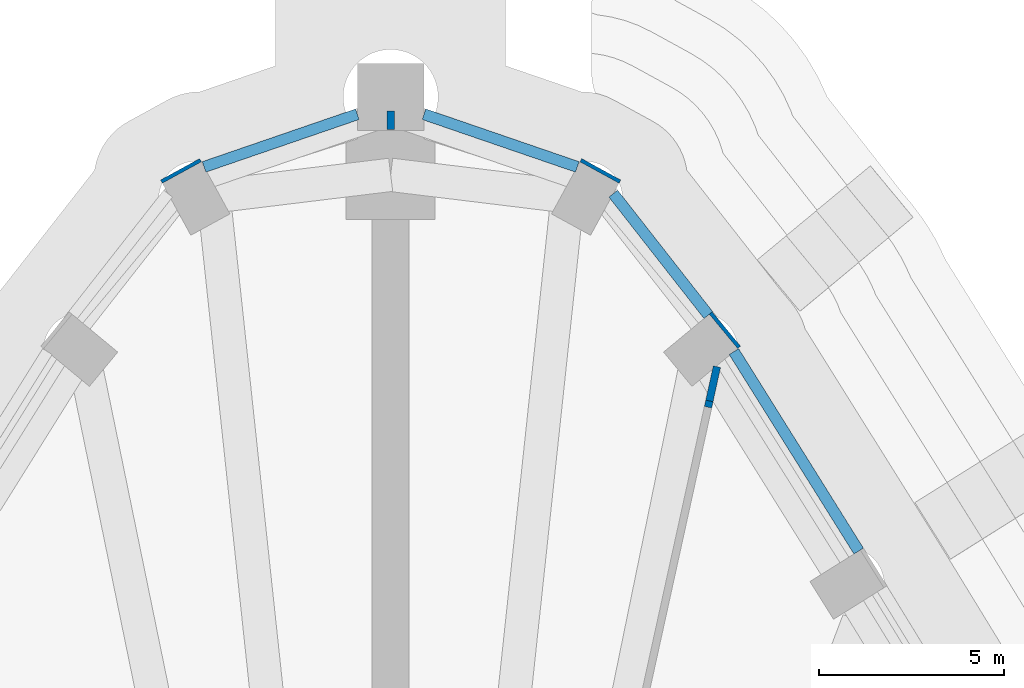
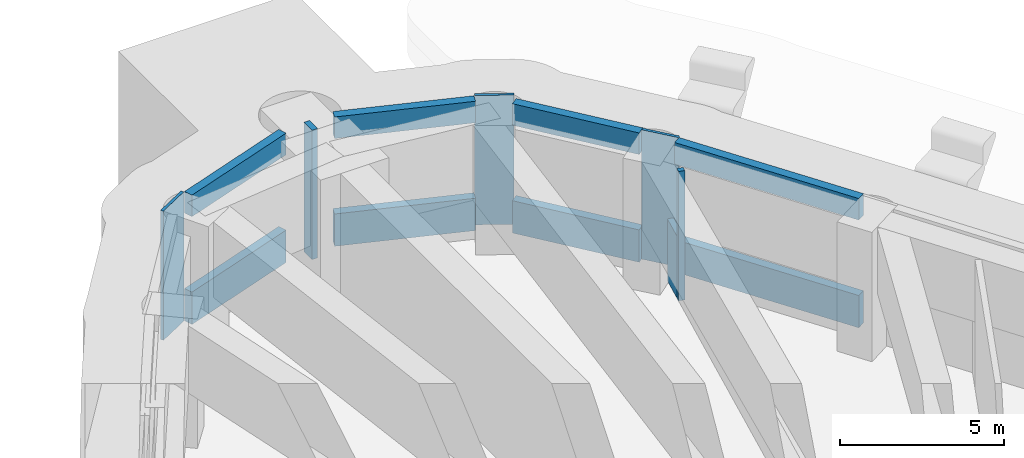
# One storey, part 11 of 21: 14 walls.
"""IFC4 building model written with IfcOpenShell, lengths in metres."""

from ifc_helpers import new_model, si_unit, direction, frame, frame_2d, origin, place, context, subcontext, project, spatial, rectangle, extrude, material, layer, layer_set, type_object, element, save


model = new_model("IFC4")

# Units and contexts
model_context = context("Model", 3, precision=1e-05, world=origin(), true_north=direction((0.0, 1.0)))
body_context = subcontext(model_context, "Body", "Model", "MODEL_VIEW")
ifc_project = project(units=[si_unit("LENGTHUNIT", "METRE"), si_unit("AREAUNIT", "SQUARE_METRE"), si_unit("VOLUMEUNIT", "CUBIC_METRE"), si_unit("PLANEANGLEUNIT", "RADIAN"), si_unit("MASSUNIT", "GRAM", prefix="KILO")], contexts=[model_context])

# Site, building, storey
site_placement = place(None, origin())
site = spatial("IfcSite", under=ifc_project, at=site_placement, CompositionType="ELEMENT")
building_placement = place(site_placement, origin())
building = spatial("IfcBuilding", under=site, at=building_placement, Name="Entoto Arch Interchange Tower", CompositionType="ELEMENT")
storey_placement = place(building_placement, frame((0.0, 0.0, 81.199951171875)))
storey = spatial("IfcBuildingStorey", under=building, at=storey_placement, Name="L17", CompositionType="ELEMENT", Elevation=81.199951171875)

# Walls
ifc_material_1 = material(Name="Gypsum board partition on steel studs", Category="steel")
ifc_layer_1 = layer(ifc_material_1, 0.199951171875)
ifc_layer_set_1 = layer_set([ifc_layer_1], Name="Gypsum board partition on steel studs")
wall_type_1 = type_object("IfcWallType", Name="PARTITION 200", PredefinedType="PARTITIONING", material=ifc_layer_set_1)
wall_1_placement = place(storey_placement, frame((0.0, 48.971923828125, 0.0), z_axis=(0.0, 0.0, 1.0), x_axis=(0.0, 1.0, 0.0)))
element("IfcWall", 1, at=wall_1_placement, inside=storey, type_object=wall_type_1, Name="wall:L17:p061", PredefinedType="PARTITIONING", context=body_context, shape_type="SweptSolid", body=[
    extrude(rectangle(XDim=0.4990234375, YDim=0.199951171875, at=frame_2d((0.24951171875, 0.0))), origin(), (0.0, 0.0, 1.0), 4.800048828125),
])
wall_2_placement = place(storey_placement, frame((8.555908203125, 41.485107421875, 0.0), z_axis=(0.0, 0.0, 1.0), x_axis=(0.2175209728, 0.97605564718, 0.0)))
element("IfcWall", 2, at=wall_2_placement, inside=storey, type_object=wall_type_1, Name="wall:L17:p060", PredefinedType="PARTITIONING", context=body_context, shape_type="SweptSolid", body=[
    extrude(rectangle(XDim=0.175048828125, YDim=0.199951171875, at=frame_2d((0.08740234375, 0.0))), origin(), (0.0, 0.0, 1.0), 4.800048828125),
])
wall_3_placement = place(storey_placement, frame((8.593994140625, 41.656005859375, 0.0), z_axis=(0.0, 0.0, 1.0), x_axis=(0.213673762505, 0.9769050738, 0.0)))
element("IfcWall", 3, at=wall_3_placement, inside=storey, type_object=wall_type_1, Name="wall:L17:p060", PredefinedType="PARTITIONING", context=body_context, shape_type="SweptSolid", body=[
    extrude(rectangle(XDim=0.94482421875, YDim=0.199951171875, at=frame_2d((0.472412109375, 0.0))), origin(), (0.0, 0.0, 1.0), 2.300048828125),
])
ifc_material_2 = material(Name="Board-marked precast concrete C50/60", Category="concrete")
ifc_layer_2 = layer(ifc_material_2, 0.10009765625)
ifc_layer_set_2 = layer_set([ifc_layer_2], Name="Board-marked precast concrete C50/60")
wall_type_2 = type_object("IfcWallType", Name="PRECAST FRAME WALL 100", PredefinedType="STANDARD", material=ifc_layer_set_2)
for number, where, z_axis, x_axis, name in (
    (4, (6.179931640625, 47.569091796875, 0.0), (0.0, 0.0, 1.0), (-0.877155474831, 0.480206489934, 0.0), "Frame pier N1 L17"),
    (5, (-5.1279296875, 48.14501953125, 0.0), (0.0, 0.0, 1.0), (-0.877155474831, -0.480206489934, 0.0), "Frame pier N3 L17"),
):
    element("IfcWall", number, at=place(storey_placement, frame(where, z_axis=z_axis, x_axis=x_axis)), inside=storey, type_object=wall_type_2, Name=name, PredefinedType="STANDARD", context=body_context, shape_type="SweptSolid", body=[
        extrude(rectangle(XDim=1.19921875, YDim=0.10009765625, at=frame_2d((0.599609375, 0.0))), origin(), (0.0, 0.0, 1.0), 4.800048828125),
    ])
wall_4_placement = place(storey_placement, frame((9.39404296875, 43.10009765625, 0.0), z_axis=(0.0, 0.0, 1.0), x_axis=(-0.637859244555, 0.770152961518, 0.0)))
element("IfcWall", 6, at=wall_4_placement, inside=storey, type_object=wall_type_2, Name="Frame pier NE10 L17", PredefinedType="STANDARD", context=body_context, shape_type="SweptSolid", body=[
    extrude(rectangle(XDim=1.199462890625, YDim=0.10009765625, at=frame_2d((0.599609375, 0.0))), origin(), (0.0, 0.0, 1.0), 4.800048828125),
])
ifc_layer_3 = layer(ifc_material_2, 0.300048828125)
ifc_layer_set_3 = layer_set([ifc_layer_3], Name="Board-marked precast concrete C50/60")
wall_type_3 = type_object("IfcWallType", Name="PRECAST FRAME WALL 300", PredefinedType="STANDARD", material=ifc_layer_set_3)
wall_5_placement = place(storey_placement, frame((12.618896484375, 37.60693359375, 0.0), z_axis=(0.0, 0.0, 1.0), x_axis=(-0.530410515419, 0.847740930434, 0.0)))
element("IfcWall", 7, at=wall_5_placement, inside=storey, type_object=wall_type_3, Name="Frame sill wall NE-09 L17", PredefinedType="STANDARD", context=body_context, shape_type="SweptSolid", body=[
    extrude(rectangle(XDim=6.34423828125, YDim=0.300048828125, at=frame_2d((3.172119140625, 0.0))), origin(), (0.0, 0.0, 1.0), 1.199951171875),
])
wall_6_placement = place(storey_placement, frame((12.618896484375, 37.60693359375, 4.0), z_axis=(0.0, 0.0, 1.0), x_axis=(-0.530410515419, 0.847740930434, 0.0)))
element("IfcWall", 8, at=wall_6_placement, inside=storey, type_object=wall_type_3, Name="Frame head wall NE-09 L17", PredefinedType="STANDARD", context=body_context, shape_type="SweptSolid", body=[
    extrude(rectangle(XDim=6.34423828125, YDim=0.300048828125, at=frame_2d((3.172119140625, 0.0))), origin(), (0.0, 0.0, 1.0), 0.800048828125),
])
wall_7_placement = place(storey_placement, frame((8.56494140625, 43.969970703125, 0.0), z_axis=(0.0, 0.0, 1.0), x_axis=(-0.616571010777, 0.787299300564, 0.0)))
element("IfcWall", 9, at=wall_7_placement, inside=storey, type_object=wall_type_3, Name="Frame sill wall N-01 L17", PredefinedType="STANDARD", context=body_context, shape_type="SweptSolid", body=[
    extrude(rectangle(XDim=4.158447265625, YDim=0.300048828125, at=frame_2d((2.0791015625, 0.0))), origin(), (0.0, 0.0, 1.0), 1.199951171875),
])
wall_8_placement = place(storey_placement, frame((8.56494140625, 43.969970703125, 4.0), z_axis=(0.0, 0.0, 1.0), x_axis=(-0.616571010777, 0.787299300564, 0.0)))
element("IfcWall", 10, at=wall_8_placement, inside=storey, type_object=wall_type_3, Name="Frame head wall N-01 L17", PredefinedType="STANDARD", context=body_context, shape_type="SweptSolid", body=[
    extrude(rectangle(XDim=4.158447265625, YDim=0.300048828125, at=frame_2d((2.0791015625, 0.0))), origin(), (0.0, 0.0, 1.0), 0.800048828125),
])
wall_9_placement = place(storey_placement, frame((5.030029296875, 47.965087890625, 0.0), z_axis=(0.0, 0.0, 1.0), x_axis=(-0.945765505039, 0.324850133874, 0.0)))
element("IfcWall", 11, at=wall_9_placement, inside=storey, type_object=wall_type_3, Name="Frame sill wall N-02 L17", PredefinedType="STANDARD", context=body_context, shape_type="SweptSolid", body=[
    extrude(rectangle(XDim=4.367919921875, YDim=0.300048828125, at=frame_2d((2.18408203125, 0.0))), origin(), (0.0, 0.0, 1.0), 1.199951171875),
])
wall_10_placement = place(storey_placement, frame((5.030029296875, 47.965087890625, 4.0), z_axis=(0.0, 0.0, 1.0), x_axis=(-0.945765505039, 0.324850133874, 0.0)))
element("IfcWall", 12, at=wall_10_placement, inside=storey, type_object=wall_type_3, Name="Frame head wall N-02 L17", PredefinedType="STANDARD", context=body_context, shape_type="SweptSolid", body=[
    extrude(rectangle(XDim=4.367919921875, YDim=0.300048828125, at=frame_2d((2.18408203125, 0.0))), origin(), (0.0, 0.0, 1.0), 0.800048828125),
])
wall_11_placement = place(storey_placement, frame((-0.89892578125, 49.384033203125, 0.0), z_axis=(0.0, 0.0, 1.0), x_axis=(-0.945765505039, -0.324850133874, 0.0)))
element("IfcWall", 13, at=wall_11_placement, inside=storey, type_object=wall_type_3, Name="Frame sill wall N-03 L17", PredefinedType="STANDARD", context=body_context, shape_type="SweptSolid", body=[
    extrude(rectangle(XDim=4.367919921875, YDim=0.300048828125, at=frame_2d((2.18408203125, 0.0))), origin(), (0.0, 0.0, 1.0), 1.199951171875),
])
wall_12_placement = place(storey_placement, frame((-0.89892578125, 49.384033203125, 4.0), z_axis=(0.0, 0.0, 1.0), x_axis=(-0.945765505039, -0.324850133874, 0.0)))
element("IfcWall", 14, at=wall_12_placement, inside=storey, type_object=wall_type_3, Name="Frame head wall N-03 L17", PredefinedType="STANDARD", context=body_context, shape_type="SweptSolid", body=[
    extrude(rectangle(XDim=4.367919921875, YDim=0.300048828125, at=frame_2d((2.18408203125, 0.0))), origin(), (0.0, 0.0, 1.0), 0.800048828125),
])

save(model, "model.ifc")
